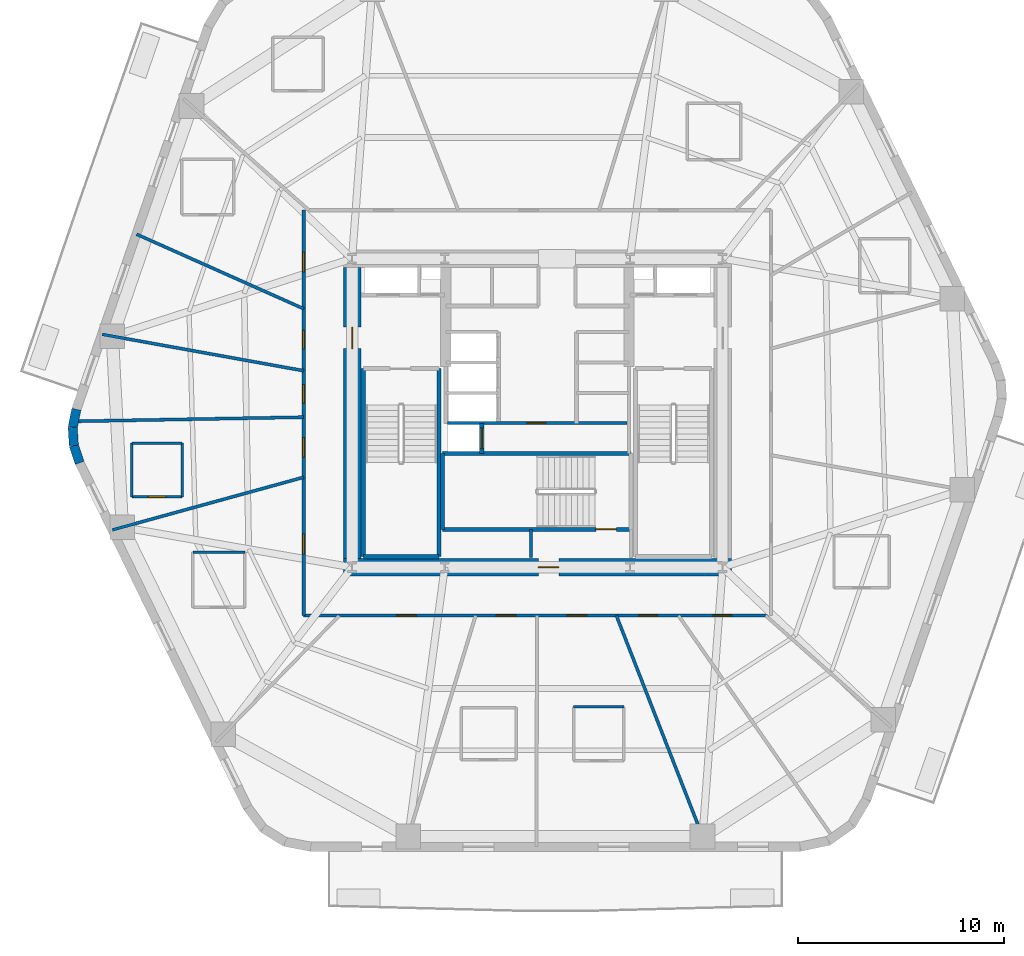
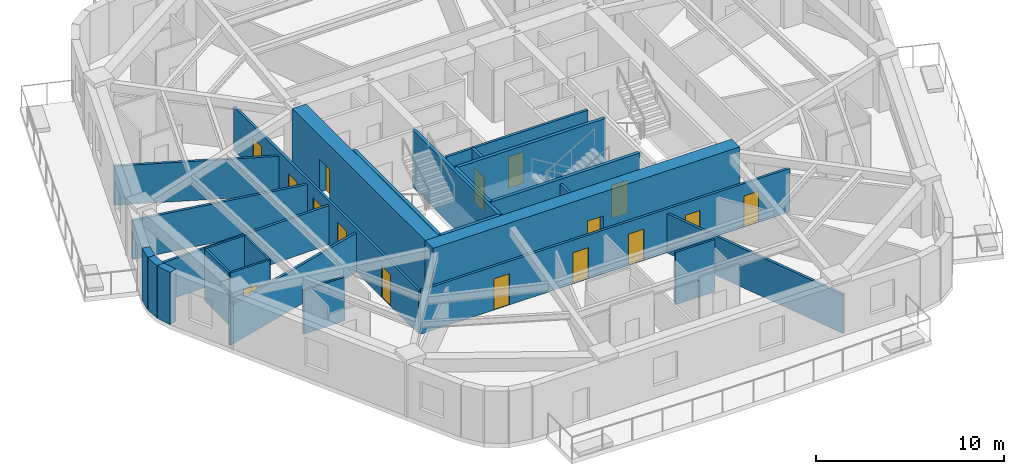
# One storey, part 3 of 8: 27 walls, 16 doors, 16 openings.
"""IFC4 building model written with IfcOpenShell, lengths in metres."""

from ifc_helpers import new_model, si_unit, direction, frame, frame_2d, origin, place, context, subcontext, project, spatial, rectangle, extrude, material, layer, layer_set, type_object, element, fill, save


model = new_model("IFC4")

# Units and contexts
model_context = context("Model", 3, precision=1e-05, world=origin(), true_north=direction((0.0, 1.0)))
body_context = subcontext(model_context, "Body", "Model", "MODEL_VIEW")
ifc_project = project(units=[si_unit("LENGTHUNIT", "METRE"), si_unit("AREAUNIT", "SQUARE_METRE"), si_unit("VOLUMEUNIT", "CUBIC_METRE"), si_unit("PLANEANGLEUNIT", "RADIAN"), si_unit("MASSUNIT", "GRAM", prefix="KILO")], contexts=[model_context])

# Site, building, storey
site_placement = place(None, origin())
site = spatial("IfcSite", under=ifc_project, at=site_placement, CompositionType="ELEMENT")
building_placement = place(site_placement, origin())
building = spatial("IfcBuilding", under=site, at=building_placement, Name="Kilnhurst Terrace Hotel", CompositionType="ELEMENT")
storey_placement = place(building_placement, frame((0.0, 0.0, 102.5)))
storey = spatial("IfcBuildingStorey", under=building, at=storey_placement, Name="L24", CompositionType="ELEMENT", Elevation=102.5)

# Walls
ifc_material_1 = material(Name="Precast concrete C40/50", Category="concrete")
ifc_layer_1 = layer(ifc_material_1, 0.449951171875, Name="Precast concrete C40/50")
ifc_layer_set_1 = layer_set([ifc_layer_1], Name="Precast concrete C40/50")
wall_type_1 = type_object("IfcWallType", Name="WL-BRK-450", PredefinedType="SOLIDWALL", material=ifc_layer_set_1)
wall_1_placement = place(storey_placement, frame((-22.39697265625, 0.17919921875, 0.0), z_axis=(0.0, 0.0, 1.0), x_axis=(-0.199313589404, -0.979935759669, 0.0)))
element("IfcWall", 1, at=wall_1_placement, inside=storey, type_object=wall_type_1, Name="L24 Rounded Corner Brick Wall C6.1", PredefinedType="SOLIDWALL", context=body_context, shape_type="SweptSolid", body=[
    extrude(rectangle(XDim=0.8955078125, YDim=0.449951171875, at=frame_2d((0.44775390625, 0.0))), origin(), (0.0, 0.0, 1.0), 3.39990234375),
])
wall_2_placement = place(storey_placement, frame((-22.575439453125, -0.6982421875, 0.0), z_axis=(0.0, 0.0, 1.0), x_axis=(0.060980441946, -0.998138961117, 0.0)))
element("IfcWall", 2, at=wall_2_placement, inside=storey, type_object=wall_type_1, Name="L24 Rounded Corner Brick Wall C6.2", PredefinedType="SOLIDWALL", context=body_context, shape_type="SweptSolid", body=[
    extrude(rectangle(XDim=0.880859375, YDim=0.449951171875, at=frame_2d((0.4404296875, 0.0))), origin(), (0.0, 0.0, 1.0), 3.39990234375),
])
wall_3_placement = place(storey_placement, frame((-22.521728515625, -1.577392578125, 0.0), z_axis=(0.0, 0.0, 1.0), x_axis=(0.317372694837, -0.948300887151, 0.0)))
element("IfcWall", 3, at=wall_3_placement, inside=storey, type_object=wall_type_1, Name="L24 Rounded Corner Brick Wall C6.3", PredefinedType="SOLIDWALL", context=body_context, shape_type="SweptSolid", body=[
    extrude(rectangle(XDim=0.8955078125, YDim=0.449951171875, at=frame_2d((0.44775390625, 0.0))), origin(), (0.0, 0.0, 1.0), 3.39990234375),
])

# Wall, openings, doors
ifc_material_2 = material(Name="Acoustic Double-Gypsum Corridor Partition Assembly")
ifc_layer_2 = layer(ifc_material_2, 0.14990234375, Name="Acoustic Double-Gypsum Corridor Partition Assembly")
ifc_layer_set_2 = layer_set([ifc_layer_2], Name="Acoustic Double-Gypsum Corridor Partition Assembly")
wall_type_2 = type_object("IfcWallType", Name="WL-COR-150", PredefinedType="PARTITIONING", material=ifc_layer_set_2)
wall_4_placement = place(storey_placement, frame((-11.35009765625, -9.85009765625, 0.0), z_axis=(0.0, 0.0, 1.0), x_axis=(0.0, 1.0, 0.0)))
wall_4 = element("IfcWall", 4, at=wall_4_placement, inside=storey, type_object=wall_type_2, Name="L24 Interior Wall WL-L24-COR-01", PredefinedType="PARTITIONING", context=body_context, shape_type="SweptSolid", body=[
    extrude(rectangle(XDim=19.7001953125, YDim=0.14990234375, at=frame_2d((9.85009765625, 0.0))), origin(), (0.0, 0.0, 1.0), 2.840087890625),
])
opening_1_placement = place(wall_4_placement, frame((16.7109375, 0.0, 0.0)))
opening_1 = element("IfcOpeningElement", 5, at=opening_1_placement, cuts=wall_4, Name="Opening D-60B", PredefinedType="OPENING", context=body_context, shape_type="SweptSolid", body=[
    extrude(rectangle(XDim=0.949951171875, YDim=2.030029296875, at=frame_2d((0.47509765625, 1.01513671875))), frame((0.0, 0.0849609375, 0.0), z_axis=(0.0, -1.0, 0.0), x_axis=(1.0, 0.0, 0.0)), (0.0, 0.0, 1.0), 0.169921875),
])
opening_2_placement = place(wall_4_placement, frame((12.968017578125, 0.0, 0.0)))
opening_2 = element("IfcOpeningElement", 6, at=opening_2_placement, cuts=wall_4, Name="Opening D-60C", PredefinedType="OPENING", context=body_context, shape_type="SweptSolid", body=[
    extrude(rectangle(XDim=0.89990234375, YDim=2.030029296875, at=frame_2d((0.449951171875, 1.01513671875))), frame((0.0, 0.0849609375, 0.0), z_axis=(0.0, -1.0, 0.0), x_axis=(1.0, 0.0, 0.0)), (0.0, 0.0, 1.0), 0.169921875),
])
opening_3_placement = place(wall_4_placement, frame((10.324951171875, 0.0, 0.0)))
opening_3 = element("IfcOpeningElement", 7, at=opening_3_placement, cuts=wall_4, Name="Opening D-60C", PredefinedType="OPENING", context=body_context, shape_type="SweptSolid", body=[
    extrude(rectangle(XDim=0.89990234375, YDim=2.030029296875, at=frame_2d((0.449951171875, 1.01513671875))), frame((0.0, 0.0849609375, 0.0), z_axis=(0.0, -1.0, 0.0), x_axis=(1.0, 0.0, 0.0)), (0.0, 0.0, 1.0), 0.169921875),
])
opening_4_placement = place(wall_4_placement, frame((7.7060546875, 0.0, 0.0)))
opening_4 = element("IfcOpeningElement", 8, at=opening_4_placement, cuts=wall_4, Name="Opening D-60B", PredefinedType="OPENING", context=body_context, shape_type="SweptSolid", body=[
    extrude(rectangle(XDim=0.949951171875, YDim=2.030029296875, at=frame_2d((0.47509765625, 1.01513671875))), frame((0.0, 0.0849609375, 0.0), z_axis=(0.0, -1.0, 0.0), x_axis=(1.0, 0.0, 0.0)), (0.0, 0.0, 1.0), 0.169921875),
])
opening_5_placement = place(wall_4_placement, frame((3.008056640625, 0.0, 0.0)))
opening_5 = element("IfcOpeningElement", 9, at=opening_5_placement, cuts=wall_4, Name="Opening D-60B", PredefinedType="OPENING", context=body_context, shape_type="SweptSolid", body=[
    extrude(rectangle(XDim=0.949951171875, YDim=2.030029296875, at=frame_2d((0.47509765625, 1.01513671875))), frame((0.0, 0.0849609375, 0.0), z_axis=(0.0, -1.0, 0.0), x_axis=(1.0, 0.0, 0.0)), (0.0, 0.0, 1.0), 0.169921875),
])
ifc_material_3 = material(Name="Painted Solid-Core Service Fire Door")
door_type_1 = type_object("IfcDoorType", Name="DR-FD60-900", OperationType="NOTDEFINED", PredefinedType="DOOR", material=ifc_material_3)
door_1_placement = place(opening_2_placement, origin())
door_1 = element("IfcDoor", 10, at=door_1_placement, inside=storey, type_object=door_type_1, Name="L24 Executive Work Office Door 7", OperationType="SINGLE_SWING_LEFT", OverallHeight=2.030029296875, OverallWidth=0.89990234375, PredefinedType="DOOR", context=body_context, shape_type="SweptSolid", body=[
    extrude(rectangle(XDim=0.89990234375, YDim=2.030029296875, at=frame_2d((0.449951171875, 1.01513671875))), frame((0.0, 0.02490234375, 0.0), z_axis=(0.0, -1.0, 0.0), x_axis=(1.0, 0.0, 0.0)), (0.0, 0.0, 1.0), 0.050048828125),
])
fill(opening_2, door_1)
door_2_placement = place(opening_3_placement, origin())
door_2 = element("IfcDoor", 11, at=door_2_placement, inside=storey, type_object=door_type_1, Name="L24 Botanical Reading Lounge Door 8", OperationType="SINGLE_SWING_RIGHT", OverallHeight=2.030029296875, OverallWidth=0.89990234375, PredefinedType="DOOR", context=body_context, shape_type="SweptSolid", body=[
    extrude(rectangle(XDim=0.89990234375, YDim=2.030029296875, at=frame_2d((0.449951171875, 1.01513671875))), frame((0.0, 0.02490234375, 0.0), z_axis=(0.0, -1.0, 0.0), x_axis=(1.0, 0.0, 0.0)), (0.0, 0.0, 1.0), 0.050048828125),
])
fill(opening_3, door_2)
ifc_material_4 = material(Name="Acoustic Walnut Veneer Solid-Core Fire Door")
door_type_2 = type_object("IfcDoorType", Name="DR-FD60-950", OperationType="NOTDEFINED", PredefinedType="DOOR", material=ifc_material_4)
door_3_placement = place(opening_1_placement, origin())
door_3 = element("IfcDoor", 12, at=door_3_placement, inside=storey, type_object=door_type_2, Name="L24 Guest Room Entry Door 6", OperationType="SINGLE_SWING_RIGHT", OverallHeight=2.030029296875, OverallWidth=0.949951171875, PredefinedType="DOOR", context=body_context, shape_type="SweptSolid", body=[
    extrude(rectangle(XDim=0.949951171875, YDim=2.030029296875, at=frame_2d((0.47509765625, 1.01513671875))), frame((0.0, 0.02490234375, 0.0), z_axis=(0.0, -1.0, 0.0), x_axis=(1.0, 0.0, 0.0)), (0.0, 0.0, 1.0), 0.050048828125),
])
fill(opening_1, door_3)
door_4_placement = place(opening_4_placement, origin())
door_4 = element("IfcDoor", 13, at=door_4_placement, inside=storey, type_object=door_type_2, Name="L24 Guest Room Entry Door 9", OperationType="SINGLE_SWING_LEFT", OverallHeight=2.030029296875, OverallWidth=0.949951171875, PredefinedType="DOOR", context=body_context, shape_type="SweptSolid", body=[
    extrude(rectangle(XDim=0.949951171875, YDim=2.030029296875, at=frame_2d((0.47509765625, 1.01513671875))), frame((0.0, 0.02490234375, 0.0), z_axis=(0.0, -1.0, 0.0), x_axis=(1.0, 0.0, 0.0)), (0.0, 0.0, 1.0), 0.050048828125),
])
fill(opening_4, door_4)
door_5_placement = place(opening_5_placement, origin())
door_5 = element("IfcDoor", 14, at=door_5_placement, inside=storey, type_object=door_type_2, Name="L24 Executive Suite Entry Door 10", OperationType="SINGLE_SWING_RIGHT", OverallHeight=2.030029296875, OverallWidth=0.949951171875, PredefinedType="DOOR", context=body_context, shape_type="SweptSolid", body=[
    extrude(rectangle(XDim=0.949951171875, YDim=2.030029296875, at=frame_2d((0.47509765625, 1.01513671875))), frame((0.0, 0.02490234375, 0.0), z_axis=(0.0, -1.0, 0.0), x_axis=(1.0, 0.0, 0.0)), (0.0, 0.0, 1.0), 0.050048828125),
])
fill(opening_5, door_5)

wall_5_placement = place(storey_placement, frame((11.35009765625, -9.85009765625, 0.0), z_axis=(0.0, 0.0, 1.0), x_axis=(-1.0, 0.0, 0.0)))
wall_5 = element("IfcWall", 15, at=wall_5_placement, inside=storey, type_object=wall_type_2, Name="L24 Interior Wall WL-L24-COR-04", PredefinedType="PARTITIONING", context=body_context, shape_type="SweptSolid", body=[
    extrude(rectangle(XDim=22.7001953125, YDim=0.14990234375, at=frame_2d((11.35009765625, 0.0))), origin(), (0.0, 0.0, 1.0), 2.840087890625),
])
opening_6_placement = place(wall_5_placement, frame((17.237060546875, 0.0, 0.0)))
opening_6 = element("IfcOpeningElement", 16, at=opening_6_placement, cuts=wall_5, Name="Opening D-60B", PredefinedType="OPENING", context=body_context, shape_type="SweptSolid", body=[
    extrude(rectangle(XDim=0.949951171875, YDim=2.030029296875, at=frame_2d((0.47509765625, 1.01513671875))), frame((0.0, 0.0849609375, 0.0), z_axis=(0.0, -1.0, 0.0), x_axis=(1.0, 0.0, 0.0)), (0.0, 0.0, 1.0), 0.169921875),
])
opening_7_placement = place(wall_5_placement, frame((12.389892578125, 0.0, 0.0)))
opening_7 = element("IfcOpeningElement", 17, at=opening_7_placement, cuts=wall_5, Name="Opening D-60B", PredefinedType="OPENING", context=body_context, shape_type="SweptSolid", body=[
    extrude(rectangle(XDim=0.949951171875, YDim=2.030029296875, at=frame_2d((0.47509765625, 1.01513671875))), frame((0.0, 0.0849609375, 0.0), z_axis=(0.0, -1.0, 0.0), x_axis=(1.0, 0.0, 0.0)), (0.0, 0.0, 1.0), 0.169921875),
])
opening_8_placement = place(wall_5_placement, frame((8.9541015625, 0.0, 0.0)))
opening_8 = element("IfcOpeningElement", 18, at=opening_8_placement, cuts=wall_5, Name="Opening D-60B", PredefinedType="OPENING", context=body_context, shape_type="SweptSolid", body=[
    extrude(rectangle(XDim=0.949951171875, YDim=2.030029296875, at=frame_2d((0.47509765625, 1.01513671875))), frame((0.0, 0.0849609375, 0.0), z_axis=(0.0, -1.0, 0.0), x_axis=(1.0, 0.0, 0.0)), (0.0, 0.0, 1.0), 0.169921875),
])
opening_9_placement = place(wall_5_placement, frame((5.52197265625, 0.0, 0.0)))
opening_9 = element("IfcOpeningElement", 19, at=opening_9_placement, cuts=wall_5, Name="Opening D-60C", PredefinedType="OPENING", context=body_context, shape_type="SweptSolid", body=[
    extrude(rectangle(XDim=0.89990234375, YDim=2.030029296875, at=frame_2d((0.449951171875, 1.01513671875))), frame((0.0, 0.0849609375, 0.0), z_axis=(0.0, -1.0, 0.0), x_axis=(1.0, 0.0, 0.0)), (0.0, 0.0, 1.0), 0.169921875),
])
opening_10_placement = place(wall_5_placement, frame((1.9140625, 0.0, 0.0)))
opening_10 = element("IfcOpeningElement", 20, at=opening_10_placement, cuts=wall_5, Name="Opening D-60C", PredefinedType="OPENING", context=body_context, shape_type="SweptSolid", body=[
    extrude(rectangle(XDim=0.89990234375, YDim=2.030029296875, at=frame_2d((0.449951171875, 1.01513671875))), frame((0.0, 0.0849609375, 0.0), z_axis=(0.0, -1.0, 0.0), x_axis=(1.0, 0.0, 0.0)), (0.0, 0.0, 1.0), 0.169921875),
])
door_6_placement = place(opening_9_placement, origin())
door_6 = element("IfcDoor", 21, at=door_6_placement, inside=storey, type_object=door_type_1, Name="L24 Private Meeting Salon Door 14", OperationType="SINGLE_SWING_RIGHT", OverallHeight=2.030029296875, OverallWidth=0.89990234375, PredefinedType="DOOR", context=body_context, shape_type="SweptSolid", body=[
    extrude(rectangle(XDim=0.89990234375, YDim=2.030029296875, at=frame_2d((0.449951171875, 1.01513671875))), frame((0.0, 0.02490234375, 0.0), z_axis=(0.0, -1.0, 0.0), x_axis=(1.0, 0.0, 0.0)), (0.0, 0.0, 1.0), 0.050048828125),
])
fill(opening_9, door_6)
door_7_placement = place(opening_10_placement, origin())
door_7 = element("IfcDoor", 22, at=door_7_placement, inside=storey, type_object=door_type_1, Name="L24 Wellness Consultation Room Door 15", OperationType="SINGLE_SWING_LEFT", OverallHeight=2.030029296875, OverallWidth=0.89990234375, PredefinedType="DOOR", context=body_context, shape_type="SweptSolid", body=[
    extrude(rectangle(XDim=0.89990234375, YDim=2.030029296875, at=frame_2d((0.449951171875, 1.01513671875))), frame((0.0, 0.02490234375, 0.0), z_axis=(0.0, -1.0, 0.0), x_axis=(1.0, 0.0, 0.0)), (0.0, 0.0, 1.0), 0.050048828125),
])
fill(opening_10, door_7)
door_8_placement = place(opening_6_placement, origin())
door_8 = element("IfcDoor", 23, at=door_8_placement, inside=storey, type_object=door_type_2, Name="L24 Fitness Movement Studio Door", OperationType="SINGLE_SWING_LEFT", OverallHeight=2.030029296875, OverallWidth=0.949951171875, PredefinedType="DOOR", context=body_context, shape_type="SweptSolid", body=[
    extrude(rectangle(XDim=0.949951171875, YDim=2.030029296875, at=frame_2d((0.47509765625, 1.01513671875))), frame((0.0, 0.02490234375, 0.0), z_axis=(0.0, -1.0, 0.0), x_axis=(1.0, 0.0, 0.0)), (0.0, 0.0, 1.0), 0.050048828125),
])
fill(opening_6, door_8)
door_9_placement = place(opening_7_placement, origin())
door_9 = element("IfcDoor", 24, at=door_9_placement, inside=storey, type_object=door_type_2, Name="L24 Guest Room Entry Door 12", OperationType="SINGLE_SWING_RIGHT", OverallHeight=2.030029296875, OverallWidth=0.949951171875, PredefinedType="DOOR", context=body_context, shape_type="SweptSolid", body=[
    extrude(rectangle(XDim=0.949951171875, YDim=2.030029296875, at=frame_2d((0.47509765625, 1.01513671875))), frame((0.0, 0.02490234375, 0.0), z_axis=(0.0, -1.0, 0.0), x_axis=(1.0, 0.0, 0.0)), (0.0, 0.0, 1.0), 0.050048828125),
])
fill(opening_7, door_9)
door_10_placement = place(opening_8_placement, origin())
door_10 = element("IfcDoor", 25, at=door_10_placement, inside=storey, type_object=door_type_2, Name="L24 Guest Room Entry Door 13", OperationType="SINGLE_SWING_LEFT", OverallHeight=2.030029296875, OverallWidth=0.949951171875, PredefinedType="DOOR", context=body_context, shape_type="SweptSolid", body=[
    extrude(rectangle(XDim=0.949951171875, YDim=2.030029296875, at=frame_2d((0.47509765625, 1.01513671875))), frame((0.0, 0.02490234375, 0.0), z_axis=(0.0, -1.0, 0.0), x_axis=(1.0, 0.0, 0.0)), (0.0, 0.0, 1.0), 0.050048828125),
])
fill(opening_8, door_10)

# Wall, opening, door
ifc_material_5 = material(Name="Concrete C80/95", Category="concrete")
ifc_layer_3 = layer(ifc_material_5, 0.85009765625, Name="Concrete C80/95")
ifc_layer_set_3 = layer_set([ifc_layer_3], Name="Concrete C80/95")
wall_type_3 = type_object("IfcWallType", Name="WL-CORE-850", PredefinedType="SHEAR", material=ifc_layer_set_3)
wall_6_placement = place(storey_placement, frame((-9.425048828125, -7.5, 0.0), z_axis=(0.0, 0.0, 1.0), x_axis=(1.0, 0.0, 0.0)))
wall_6 = element("IfcWall", 26, at=wall_6_placement, inside=storey, type_object=wall_type_3, Name="L24 Core South Shear Wall", PredefinedType="SHEAR", context=body_context, shape_type="SweptSolid", body=[
    extrude(rectangle(XDim=18.85009765625, YDim=0.85009765625, at=frame_2d((9.425048828125, 0.0))), origin(), (0.0, 0.0, 1.0), 3.699951171875),
])
opening_11_placement = place(wall_6_placement, frame((9.47509765625, 0.0, 0.0)))
opening_11 = element("IfcOpeningElement", 27, at=opening_11_placement, cuts=wall_6, Name="Opening D-90B", PredefinedType="OPENING", context=body_context, shape_type="SweptSolid", body=[
    extrude(rectangle(XDim=1.0, YDim=2.14990234375, at=frame_2d((0.5, 1.074951171875))), frame((0.0, 0.43505859375, 0.0), z_axis=(0.0, -1.0, 0.0), x_axis=(1.0, 0.0, 0.0)), (0.0, 0.0, 1.0), 0.8701171875),
])
ifc_material_6 = material(Name="Painted Hollow Metal Steel ASTM A36 Fire Door", Category="steel")
door_type_3 = type_object("IfcDoorType", Name="DR-FD90-1000", OperationType="NOTDEFINED", PredefinedType="DOOR", material=ifc_material_6)
door_11_placement = place(opening_11_placement, origin())
door_11 = element("IfcDoor", 28, at=door_11_placement, inside=storey, type_object=door_type_3, Name="L24 Stair ST-3 Corridor Door", OperationType="SINGLE_SWING_RIGHT", OverallHeight=2.14990234375, OverallWidth=1.0, PredefinedType="DOOR", context=body_context, shape_type="SweptSolid", body=[
    extrude(rectangle(XDim=1.0, YDim=2.14990234375, at=frame_2d((0.5, 1.074951171875))), frame((0.0, 0.02490234375, 0.0), z_axis=(0.0, -1.0, 0.0), x_axis=(1.0, 0.0, 0.0)), (0.0, 0.0, 1.0), 0.050048828125),
])
fill(opening_11, door_11)

wall_7_placement = place(storey_placement, frame((-9.0, -7.074951171875, 0.0), z_axis=(0.0, 0.0, 1.0), x_axis=(0.0, 1.0, 0.0)))
wall_7 = element("IfcWall", 29, at=wall_7_placement, inside=storey, type_object=wall_type_3, Name="L24 Core West Shear Wall", PredefinedType="SHEAR", context=body_context, shape_type="SweptSolid", body=[
    extrude(rectangle(XDim=14.14990234375, YDim=0.85009765625, at=frame_2d((7.074951171875, 0.0))), origin(), (0.0, 0.0, 1.0), 3.699951171875),
])
opening_12_placement = place(wall_7_placement, frame((10.199951171875, 0.0, 0.0)))
opening_12 = element("IfcOpeningElement", 30, at=opening_12_placement, cuts=wall_7, Name="Opening D-90A", PredefinedType="OPENING", context=body_context, shape_type="SweptSolid", body=[
    extrude(rectangle(XDim=1.050048828125, YDim=2.14990234375, at=frame_2d((0.52490234375, 1.074951171875))), frame((0.0, 0.43505859375, 0.0), z_axis=(0.0, -1.0, 0.0), x_axis=(1.0, 0.0, 0.0)), (0.0, 0.0, 1.0), 0.8701171875),
])
door_type_4 = type_object("IfcDoorType", Name="DR-FD90-1050", OperationType="NOTDEFINED", PredefinedType="DOOR", material=ifc_material_6)
door_12_placement = place(opening_12_placement, origin())
door_12 = element("IfcDoor", 31, at=door_12_placement, inside=storey, type_object=door_type_4, Name="L24 West Firefighting Lobby Door", OperationType="SINGLE_SWING_RIGHT", OverallHeight=2.14990234375, OverallWidth=1.050048828125, PredefinedType="DOOR", context=body_context, shape_type="SweptSolid", body=[
    extrude(rectangle(XDim=1.050048828125, YDim=2.14990234375, at=frame_2d((0.52490234375, 1.074951171875))), frame((0.0, 0.02490234375, 0.0), z_axis=(0.0, -1.0, 0.0), x_axis=(1.0, 0.0, 0.0)), (0.0, 0.0, 1.0), 0.050048828125),
])
fill(opening_12, door_12)

# Walls
ifc_material_7 = material(Name="STC-58 Acoustic Twin-Frame Guestroom Demising Partition")
ifc_layer_4 = layer(ifc_material_7, 0.14990234375, Name="STC-58 Acoustic Twin-Frame Guestroom Demising Partition")
ifc_layer_set_4 = layer_set([ifc_layer_4], Name="STC-58 Acoustic Twin-Frame Guestroom Demising Partition")
wall_type_4 = type_object("IfcWallType", Name="WL-DEM-150", PredefinedType="PARTITIONING", material=ifc_layer_set_4)
wall_8_placement = place(storey_placement, frame((-11.35009765625, 5.061767578125, 0.0), z_axis=(0.0, 0.0, 1.0), x_axis=(-0.91329663997, 0.407295037312, 0.0)))
element("IfcWall", 32, at=wall_8_placement, inside=storey, type_object=wall_type_4, Name="L24 Interior Wall WL-L24-DEM-MID05-07-1", PredefinedType="PARTITIONING", context=body_context, shape_type="SweptSolid", body=[
    extrude(rectangle(XDim=8.889404296875, YDim=0.14990234375, at=frame_2d((4.44482421875, 0.0))), origin(), (0.0, 0.0, 1.0), 2.5400390625),
])
wall_9_placement = place(storey_placement, frame((-11.35009765625, 2.05078125, 0.0), z_axis=(0.0, 0.0, 1.0), x_axis=(-0.984068313063, 0.177790762484, 0.0)))
element("IfcWall", 33, at=wall_9_placement, inside=storey, type_object=wall_type_4, Name="L24 Interior Wall WL-L24-DEM-COL06-08-1", PredefinedType="PARTITIONING", context=body_context, shape_type="SweptSolid", body=[
    extrude(rectangle(XDim=9.951416015625, YDim=0.14990234375, at=frame_2d((4.9755859375, 0.0))), origin(), (0.0, 0.0, 1.0), 2.5400390625),
])
wall_10_placement = place(storey_placement, frame((-11.35009765625, -0.205078125, 0.0), z_axis=(0.0, 0.0, 1.0), x_axis=(-0.999836907568, -0.018059852275, 0.0)))
element("IfcWall", 34, at=wall_10_placement, inside=storey, type_object=wall_type_4, Name="L24 Interior Wall WL-L24-DEM-MID06-09-1", PredefinedType="PARTITIONING", context=body_context, shape_type="SweptSolid", body=[
    extrude(rectangle(XDim=11.00390625, YDim=0.14990234375, at=frame_2d((5.501953125, 0.0))), origin(), (0.0, 0.0, 1.0), 2.5400390625),
])
wall_11_placement = place(storey_placement, frame((-11.35009765625, -3.123291015625, 0.0), z_axis=(0.0, 0.0, 1.0), x_axis=(-0.964151983214, -0.265350623261, 0.0)))
element("IfcWall", 35, at=wall_11_placement, inside=storey, type_object=wall_type_4, Name="L24 Interior Wall WL-L24-DEM-COL07-10-1", PredefinedType="PARTITIONING", context=body_context, shape_type="SweptSolid", body=[
    extrude(rectangle(XDim=9.64501953125, YDim=0.14990234375, at=frame_2d((4.822509765625, 0.0))), origin(), (0.0, 0.0, 1.0), 2.5400390625),
])
wall_12_placement = place(storey_placement, frame((3.84228515625, -9.85009765625, 0.0), z_axis=(0.0, 0.0, 1.0), x_axis=(0.363432685593, -0.931620460833, 0.0)))
element("IfcWall", 36, at=wall_12_placement, inside=storey, type_object=wall_type_4, Name="L24 Interior Wall WL-L24-DEM-COL10-14-1", PredefinedType="PARTITIONING", context=body_context, shape_type="SweptSolid", body=[
    extrude(rectangle(XDim=12.048828125, YDim=0.14990234375, at=frame_2d((6.0244140625, 0.0))), origin(), (0.0, 0.0, 1.0), 2.5400390625),
])

# Wall, opening, door
ifc_material_8 = material(Name="120 mm Moisture-Resistant Tile-Backed Bathroom Partition")
ifc_layer_5 = layer(ifc_material_8, 0.1201171875, Name="120 mm Moisture-Resistant Tile-Backed Bathroom Partition")
ifc_layer_set_5 = layer_set([ifc_layer_5], Name="120 mm Moisture-Resistant Tile-Backed Bathroom Partition")
wall_type_5 = type_object("IfcWallType", Name="WL-PART-120", PredefinedType="PARTITIONING", material=ifc_layer_set_5)
wall_13_placement = place(storey_placement, frame((-19.697998046875, -4.071044921875, 0.0), z_axis=(0.0, 0.0, 1.0), x_axis=(1.0, 0.0, 0.0)))
wall_13 = element("IfcWall", 37, at=wall_13_placement, inside=storey, type_object=wall_type_5, Name="L24 Interior Wall WL-L24-BTH-09-1", PredefinedType="PARTITIONING", context=body_context, shape_type="SweptSolid", body=[
    extrude(rectangle(XDim=2.43994140625, YDim=0.1201171875, at=frame_2d((1.219970703125, 0.0))), origin(), (0.0, 0.0, 1.0), 3.39990234375),
])
opening_13_placement = place(wall_13_placement, frame((0.794921875, 0.0, 0.0)))
opening_13 = element("IfcOpeningElement", 38, at=opening_13_placement, cuts=wall_13, Name="Opening D-08A", PredefinedType="OPENING", context=body_context, shape_type="SweptSolid", body=[
    extrude(rectangle(XDim=0.85009765625, YDim=2.030029296875, at=frame_2d((0.425048828125, 1.01513671875))), frame((0.0, 0.070068359375, 0.0), z_axis=(0.0, -1.0, 0.0), x_axis=(1.0, 0.0, 0.0)), (0.0, 0.0, 1.0), 0.14013671875),
])
ifc_material_9 = material(Name="Moisture-Resistant Lacquered En-suite Bathroom Door")
door_type_5 = type_object("IfcDoorType", Name="DR-INT-850", OperationType="NOTDEFINED", PredefinedType="DOOR", material=ifc_material_9)
door_13_placement = place(opening_13_placement, origin())
door_13 = element("IfcDoor", 39, at=door_13_placement, inside=storey, type_object=door_type_5, Name="L24 En-suite Bathroom Door 9", OperationType="SINGLE_SWING_RIGHT", OverallHeight=2.030029296875, OverallWidth=0.85009765625, PredefinedType="DOOR", context=body_context, shape_type="SweptSolid", body=[
    extrude(rectangle(XDim=0.85009765625, YDim=2.030029296875, at=frame_2d((0.425048828125, 1.01513671875))), frame((0.0, 0.02490234375, 0.0), z_axis=(0.0, -1.0, 0.0), x_axis=(1.0, 0.0, 0.0)), (0.0, 0.0, 1.0), 0.050048828125),
])
fill(opening_13, door_13)

# Walls
wall_14_placement = place(storey_placement, frame((-17.258056640625, -4.071044921875, 0.0), z_axis=(0.0, 0.0, 1.0), x_axis=(0.0, 1.0, 0.0)))
element("IfcWall", 40, at=wall_14_placement, inside=storey, type_object=wall_type_5, Name="L24 Interior Wall WL-L24-BTH-09-2", PredefinedType="PARTITIONING", context=body_context, shape_type="SweptSolid", body=[
    extrude(rectangle(XDim=2.610107421875, YDim=0.1201171875, at=frame_2d((1.30517578125, 0.0))), origin(), (0.0, 0.0, 1.0), 3.39990234375),
])
wall_15_placement = place(storey_placement, frame((-17.258056640625, -1.4609375, 0.0), z_axis=(0.0, 0.0, 1.0), x_axis=(-1.0, 0.0, 0.0)))
element("IfcWall", 41, at=wall_15_placement, inside=storey, type_object=wall_type_5, Name="L24 Interior Wall WL-L24-BTH-09-3", PredefinedType="PARTITIONING", context=body_context, shape_type="SweptSolid", body=[
    extrude(rectangle(XDim=2.43994140625, YDim=0.1201171875, at=frame_2d((1.219970703125, 0.0))), origin(), (0.0, 0.0, 1.0), 3.39990234375),
])
wall_16_placement = place(storey_placement, frame((-19.697998046875, -1.4609375, 0.0), z_axis=(0.0, 0.0, 1.0), x_axis=(0.0, -1.0, 0.0)))
element("IfcWall", 42, at=wall_16_placement, inside=storey, type_object=wall_type_5, Name="L24 Interior Wall WL-L24-BTH-09-4", PredefinedType="PARTITIONING", context=body_context, shape_type="SweptSolid", body=[
    extrude(rectangle(XDim=2.610107421875, YDim=0.1201171875, at=frame_2d((1.30517578125, 0.0))), origin(), (0.0, 0.0, 1.0), 3.39990234375),
])
wall_17_placement = place(storey_placement, frame((-14.215087890625, -6.764892578125, 0.0), z_axis=(0.0, 0.0, 1.0), x_axis=(-1.0, 0.0, 0.0)))
element("IfcWall", 43, at=wall_17_placement, inside=storey, type_object=wall_type_5, Name="L24 Interior Wall WL-L24-BTH-10-3", PredefinedType="PARTITIONING", context=body_context, shape_type="SweptSolid", body=[
    extrude(rectangle(XDim=2.52001953125, YDim=0.1201171875, at=frame_2d((1.260009765625, 0.0))), origin(), (0.0, 0.0, 1.0), 2.840087890625),
])
wall_18_placement = place(storey_placement, frame((4.20703125, -14.281982421875, 0.0), z_axis=(0.0, 0.0, 1.0), x_axis=(-1.0, 0.0, 0.0)))
element("IfcWall", 44, at=wall_18_placement, inside=storey, type_object=wall_type_5, Name="L24 Interior Wall WL-L24-BTH-13-3", PredefinedType="PARTITIONING", context=body_context, shape_type="SweptSolid", body=[
    extrude(rectangle(XDim=2.43994140625, YDim=0.1201171875, at=frame_2d((1.219970703125, 0.0))), origin(), (0.0, 0.0, 1.0), 3.39990234375),
])
ifc_material_10 = material(Name="Fire-Rated Gypsum Shaftliner Assembly")
ifc_layer_6 = layer(ifc_material_10, 0.14990234375, Name="Fire-Rated Gypsum Shaftliner Assembly")
ifc_layer_set_6 = layer_set([ifc_layer_6], Name="Fire-Rated Gypsum Shaftliner Assembly")
wall_type_6 = type_object("IfcWallType", Name="WL-SHAFT-150", PredefinedType="PARTITIONING", material=ifc_layer_set_6)
wall_19_placement = place(storey_placement, frame((-0.300048828125, -7.02001953125, 0.0), z_axis=(0.0, 0.0, 1.0), x_axis=(0.0, 1.0, 0.0)))
element("IfcWall", 45, at=wall_19_placement, inside=storey, type_object=wall_type_6, Name="L24 Interior Wall WL-L24-ST3-PSGW", PredefinedType="PARTITIONING", context=body_context, shape_type="SweptSolid", body=[
    extrude(rectangle(XDim=1.362060546875, YDim=0.14990234375, at=frame_2d((0.68115234375, 0.0))), origin(), (0.0, 0.0, 1.0), 3.39990234375),
])

# Wall, opening, door
wall_20_placement = place(storey_placement, frame((-4.360107421875, -0.489990234375, 0.0), z_axis=(0.0, 0.0, 1.0), x_axis=(1.0, 0.0, 0.0)))
wall_20 = element("IfcWall", 46, at=wall_20_placement, inside=storey, type_object=wall_type_6, Name="L24 Interior Wall WL-L24-BOH-N", PredefinedType="PARTITIONING", context=body_context, shape_type="SweptSolid", body=[
    extrude(rectangle(XDim=8.72021484375, YDim=0.14990234375, at=frame_2d((4.360107421875, 0.0))), origin(), (0.0, 0.0, 1.0), 3.39990234375),
])
opening_14_placement = place(wall_20_placement, frame((3.860107421875, 0.0, 0.0)))
opening_14 = element("IfcOpeningElement", 47, at=opening_14_placement, cuts=wall_20, Name="Opening D-60C", PredefinedType="OPENING", context=body_context, shape_type="SweptSolid", body=[
    extrude(rectangle(XDim=0.89990234375, YDim=2.030029296875, at=frame_2d((0.449951171875, 1.01513671875))), frame((0.0, 0.0849609375, 0.0), z_axis=(0.0, -1.0, 0.0), x_axis=(1.0, 0.0, 0.0)), (0.0, 0.0, 1.0), 0.169921875),
])
door_14_placement = place(opening_14_placement, origin())
door_14 = element("IfcDoor", 48, at=door_14_placement, inside=storey, type_object=door_type_1, Name="L24 Housekeeping Laundry Door", OperationType="SINGLE_SWING_LEFT", OverallHeight=2.030029296875, OverallWidth=0.89990234375, PredefinedType="DOOR", context=body_context, shape_type="SweptSolid", body=[
    extrude(rectangle(XDim=0.89990234375, YDim=2.030029296875, at=frame_2d((0.449951171875, 1.01513671875))), frame((0.0, 0.02490234375, 0.0), z_axis=(0.0, -1.0, 0.0), x_axis=(1.0, 0.0, 0.0)), (0.0, 0.0, 1.0), 0.050048828125),
])
fill(opening_14, door_14)

ifc_material_11 = material(Name="Autoclaved Aerated Concrete C30/37 and Gypsum Shaft Assembly", Category="concrete")
ifc_layer_7 = layer(ifc_material_11, 0.199951171875, Name="Autoclaved Aerated Concrete C30/37 and Gypsum Shaft Assembly")
ifc_layer_set_7 = layer_set([ifc_layer_7], Name="Autoclaved Aerated Concrete C30/37 and Gypsum Shaft Assembly")
wall_type_7 = type_object("IfcWallType", Name="WL-SHAFT-200", PredefinedType="PARTITIONING", material=ifc_layer_set_7)
wall_21_placement = place(storey_placement, frame((-2.699951171875, -1.971923828125, 0.0), z_axis=(0.0, 0.0, 1.0), x_axis=(0.0, 1.0, 0.0)))
wall_21 = element("IfcWall", 49, at=wall_21_placement, inside=storey, type_object=wall_type_7, Name="L24 Interior Wall WL-L24-SRV1-E", PredefinedType="PARTITIONING", context=body_context, shape_type="SweptSolid", body=[
    extrude(rectangle(XDim=1.471923828125, YDim=0.199951171875, at=frame_2d((0.73583984375, 0.0))), origin(), (0.0, 0.0, 1.0), 3.39990234375),
])
opening_15_placement = place(wall_21_placement, frame((0.239990234375, 0.0, 0.0)))
opening_15 = element("IfcOpeningElement", 50, at=opening_15_placement, cuts=wall_21, Name="Opening LD-SV", PredefinedType="OPENING", context=body_context, shape_type="SweptSolid", body=[
    extrude(rectangle(XDim=1.0, YDim=2.199951171875, at=frame_2d((0.5, 1.10009765625))), frame((0.0, 0.10986328125, 0.0), z_axis=(0.0, -1.0, 0.0), x_axis=(1.0, 0.0, 0.0)), (0.0, 0.0, 1.0), 0.219970703125),
])
ifc_material_12 = material(Name="Bronze-Anodized Stainless Steel AISI 316L Sliding Door", Category="steel")
door_type_6 = type_object("IfcDoorType", Name="DR-LIFT-1000", OperationType="NOTDEFINED", PredefinedType="DOOR", material=ifc_material_12)
door_15_placement = place(opening_15_placement, origin())
door_15 = element("IfcDoor", 51, at=door_15_placement, inside=storey, type_object=door_type_6, Name="L24 Service Lift SRV-1 Landing Door", OperationType="SLIDING_TO_LEFT", OverallHeight=2.199951171875, OverallWidth=1.0, PredefinedType="DOOR", context=body_context, shape_type="SweptSolid", body=[
    extrude(rectangle(XDim=1.0, YDim=2.199951171875, at=frame_2d((0.5, 1.10009765625))), frame((0.0, 0.02490234375, 0.0), z_axis=(0.0, -1.0, 0.0), x_axis=(1.0, 0.0, 0.0)), (0.0, 0.0, 1.0), 0.050048828125),
])
fill(opening_15, door_15)

# Walls
ifc_material_13 = material(Name="Concrete C50/60", Category="concrete")
ifc_layer_8 = layer(ifc_material_13, 0.199951171875, Name="Concrete C50/60")
ifc_layer_set_8 = layer_set([ifc_layer_8], Name="Concrete C50/60")
wall_type_8 = type_object("IfcWallType", Name="WL-STAIR-RC-200", PredefinedType="SHEAR", material=ifc_layer_set_8)
for number, where, z_axis, x_axis, name in (
    (52, (-8.4580078125, -6.985107421875, 0.0), (0.0, 0.0, 1.0), (0.0, 1.0, 0.0), "L24 Structural Stair Shaft Wall WL-L24-ST1-W"),
    (53, (-4.77197265625, -6.985107421875, 0.0), (0.0, 0.0, 1.0), (0.0, 1.0, 0.0), "L24 Structural Stair Shaft Wall WL-L24-ST1-E"),
):
    element("IfcWall", number, at=place(storey_placement, frame(where, z_axis=z_axis, x_axis=x_axis)), inside=storey, type_object=wall_type_8, Name=name, PredefinedType="SHEAR", context=body_context, shape_type="SweptSolid", body=[
        extrude(rectangle(XDim=9.14306640625, YDim=0.199951171875, at=frame_2d((4.571533203125, 0.0))), origin(), (0.0, 0.0, 1.0), 3.699951171875),
    ])
for number, where, z_axis, x_axis, name in (
    (54, (-8.4580078125, -6.985107421875, 0.0), (0.0, 0.0, 1.0), (1.0, 0.0, 0.0), "L24 Structural Stair Shaft Wall WL-L24-ST1-S"),
    (55, (-4.60791015625, -5.657958984375, 0.0), (0.0, 0.0, 1.0), (0.0, 1.0, 0.0), "L24 Structural Stair Shaft Wall WL-L24-ST3-W"),
):
    element("IfcWall", number, at=place(storey_placement, frame(where, z_axis=z_axis, x_axis=x_axis)), inside=storey, type_object=wall_type_8, Name=name, PredefinedType="SHEAR", context=body_context, shape_type="SweptSolid", body=[
        extrude(rectangle(XDim=3.68603515625, YDim=0.199951171875, at=frame_2d((1.843017578125, 0.0))), origin(), (0.0, 0.0, 1.0), 3.699951171875),
    ])

# Wall, opening, door
wall_22_placement = place(storey_placement, frame((-4.60791015625, -5.657958984375, 0.0), z_axis=(0.0, 0.0, 1.0), x_axis=(1.0, 0.0, 0.0)))
wall_22 = element("IfcWall", 56, at=wall_22_placement, inside=storey, type_object=wall_type_8, Name="L24 Structural Stair Shaft Wall WL-L24-ST3-S", PredefinedType="SHEAR", context=body_context, shape_type="SweptSolid", body=[
    extrude(rectangle(XDim=9.166015625, YDim=0.199951171875, at=frame_2d((4.5830078125, 0.0))), origin(), (0.0, 0.0, 1.0), 3.699951171875),
])
opening_16_placement = place(wall_22_placement, frame((7.449951171875, 0.0, 0.0)))
opening_16 = element("IfcOpeningElement", 57, at=opening_16_placement, cuts=wall_22, Name="Opening D-90B", PredefinedType="OPENING", context=body_context, shape_type="SweptSolid", body=[
    extrude(rectangle(XDim=1.0, YDim=2.14990234375, at=frame_2d((0.5, 1.074951171875))), frame((0.0, 0.10986328125, 0.0), z_axis=(0.0, -1.0, 0.0), x_axis=(1.0, 0.0, 0.0)), (0.0, 0.0, 1.0), 0.219970703125),
])
door_16_placement = place(opening_16_placement, origin())
door_16 = element("IfcDoor", 58, at=door_16_placement, inside=storey, type_object=door_type_3, Name="L24 Stair ST-3 Shaft Door", OperationType="SINGLE_SWING_LEFT", OverallHeight=2.14990234375, OverallWidth=1.0, PredefinedType="DOOR", context=body_context, shape_type="SweptSolid", body=[
    extrude(rectangle(XDim=1.0, YDim=2.14990234375, at=frame_2d((0.5, 1.074951171875))), frame((0.0, 0.02490234375, 0.0), z_axis=(0.0, -1.0, 0.0), x_axis=(1.0, 0.0, 0.0)), (0.0, 0.0, 1.0), 0.050048828125),
])
fill(opening_16, door_16)

# Wall
wall_23_placement = place(storey_placement, frame((-4.60791015625, -1.971923828125, 0.0), z_axis=(0.0, 0.0, 1.0), x_axis=(1.0, 0.0, 0.0)))
element("IfcWall", 59, at=wall_23_placement, inside=storey, type_object=wall_type_8, Name="L24 Structural Stair Shaft Wall WL-L24-ST3-N", PredefinedType="SHEAR", context=body_context, shape_type="SweptSolid", body=[
    extrude(rectangle(XDim=9.166015625, YDim=0.199951171875, at=frame_2d((4.5830078125, 0.0))), origin(), (0.0, 0.0, 1.0), 3.699951171875),
])

save(model, "model.ifc")
